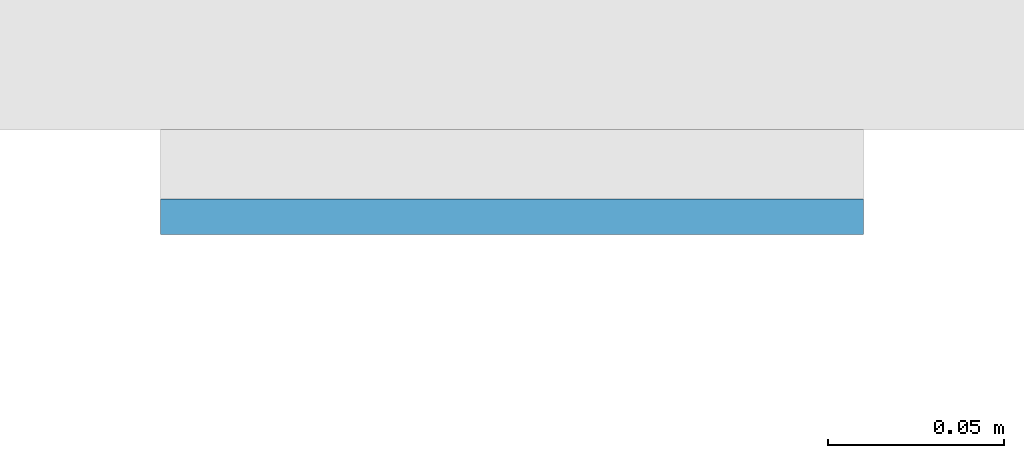
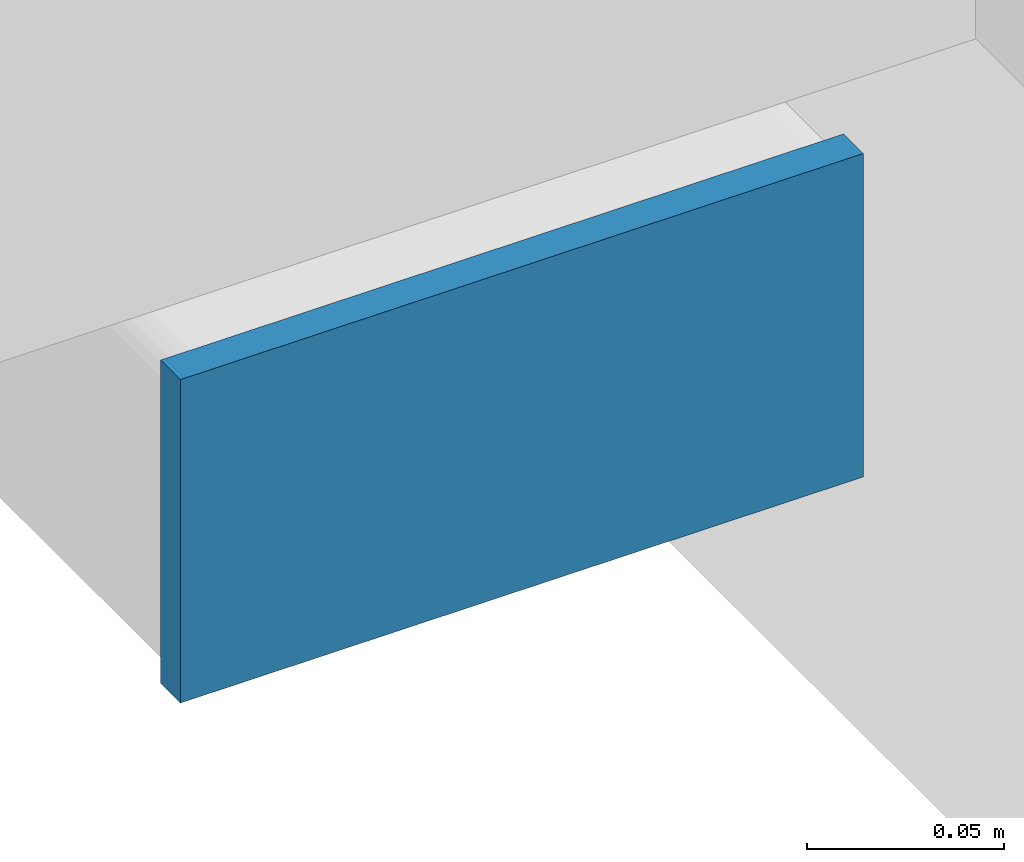
# One storey, part 8 of 20: 1 plate.
"""IFC4 building model written with IfcOpenShell, lengths in metres."""

from ifc_helpers import new_model, si_unit, direction, frame, origin, origin_2d, place, context, subcontext, project, spatial, rectangle, extrude, material, layer, layer_set, type_object, element, save


model = new_model("IFC4")

# Units and contexts
model_context = context("Model", 3, precision=1e-05, world=origin(), true_north=direction((0.0, 1.0)))
body_context = subcontext(model_context, "Body", "Model", "MODEL_VIEW")
ifc_project = project(units=[si_unit("LENGTHUNIT", "METRE"), si_unit("AREAUNIT", "SQUARE_METRE"), si_unit("VOLUMEUNIT", "CUBIC_METRE"), si_unit("PLANEANGLEUNIT", "RADIAN"), si_unit("MASSUNIT", "GRAM", prefix="KILO")], contexts=[model_context])

# Site, building, storey
site_placement = place(None, origin())
site = spatial("IfcSite", under=ifc_project, at=site_placement, CompositionType="ELEMENT")
building_placement = place(site_placement, origin())
building = spatial("IfcBuilding", under=site, at=building_placement, Name="Cleftline Residences", CompositionType="ELEMENT")
storey_placement = place(building_placement, frame((0.0, 0.0, 76.39990234375)))
storey = spatial("IfcBuildingStorey", under=building, at=storey_placement, Name="L19", CompositionType="ELEMENT", Elevation=76.39990234375)

# Plate
ifc_material = material(Name="Steel S355, hot-dip galvanised", Category="steel")
ifc_layer = layer(ifc_material, 0.010009765625)
ifc_layer_set = layer_set([ifc_layer], Name="BAGUETTE CARRIER END PLATE 200X100X10")
plate_type = type_object("IfcPlateType", Name="BAGUETTE CARRIER END PLATE 200X100X10", PredefinedType="USERDEFINED", material=ifc_layer_set)
plate_placement = place(storey_placement, frame((-0.85009765625, 3.695068359375, -0.099853515625), z_axis=(0.0, 0.0, 1.0), x_axis=(-1.0, 0.0, 0.0)))
element("IfcPlate", 1, at=plate_placement, inside=storey, type_object=plate_type, Name="Baguette carrier end plate", ObjectType="BAGUETTE CARRIER END PLATE", PredefinedType="USERDEFINED", context=body_context, shape_type="SweptSolid", body=[
    extrude(rectangle(XDim=0.199951171875, YDim=0.010009765625, at=origin_2d()), origin(), (0.0, 0.0, 1.0), 0.10009765625),
])

save(model, "model.ifc")
